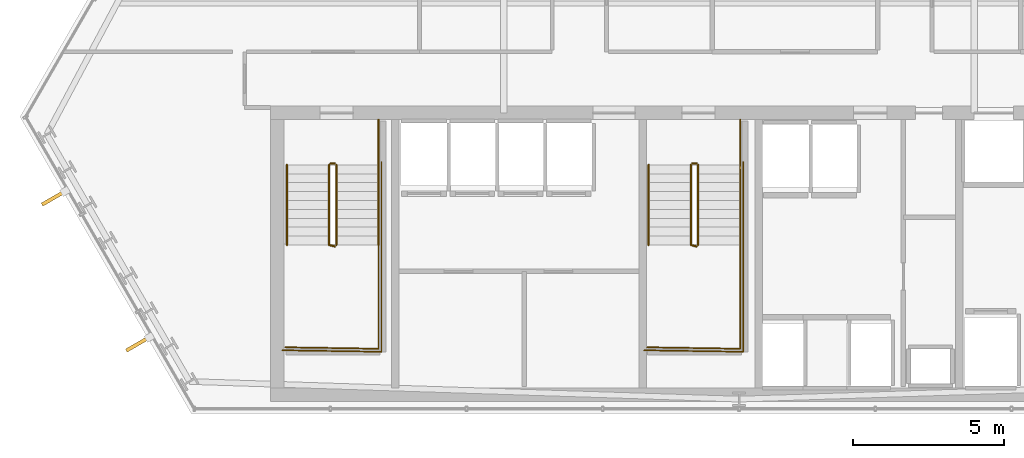
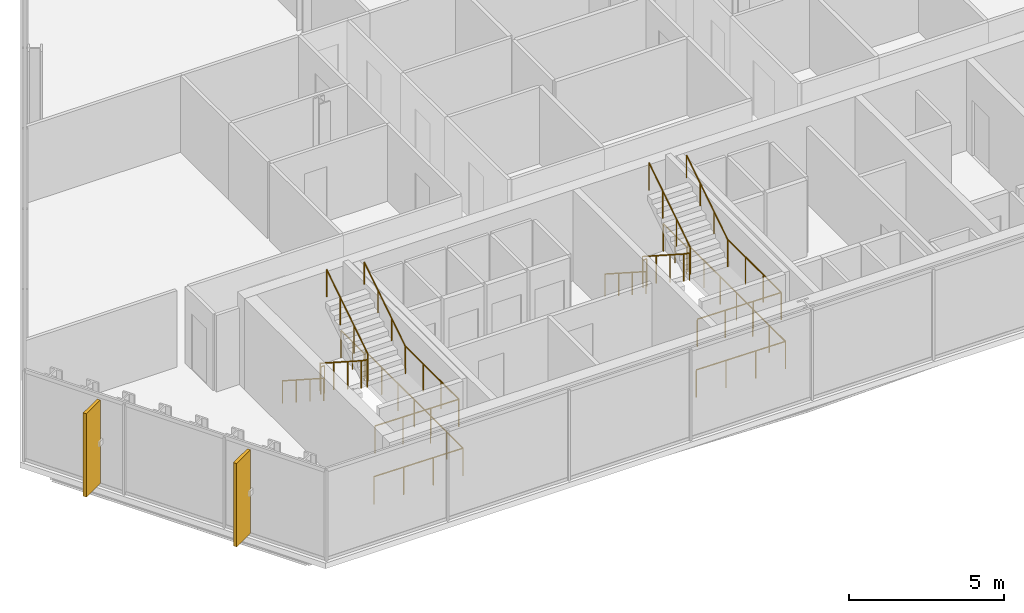
# One storey, part 30 of 33: 16 railings, 2 shading devices.
"""IFC4 building model written with IfcOpenShell, lengths in metres."""

from ifc_helpers import new_model, si_unit, direction, frame, origin, origin_2d, place, context, subcontext, project, spatial, rectangle, circle, extrude, material, layer, layer_set, type_object, element, save


model = new_model("IFC4")

# Units and contexts
model_context = context("Model", 3, precision=1e-05, world=origin(), true_north=direction((0.0, 1.0)))
body_context = subcontext(model_context, "Body", "Model", "MODEL_VIEW")
ifc_project = project(units=[si_unit("LENGTHUNIT", "METRE"), si_unit("AREAUNIT", "SQUARE_METRE"), si_unit("VOLUMEUNIT", "CUBIC_METRE"), si_unit("PLANEANGLEUNIT", "RADIAN"), si_unit("MASSUNIT", "GRAM", prefix="KILO")], contexts=[model_context])

# Site, building, storey
site_placement = place(None, origin())
site = spatial("IfcSite", under=ifc_project, at=site_placement, CompositionType="ELEMENT")
building_placement = place(site_placement, origin())
building = spatial("IfcBuilding", under=site, at=building_placement, Name="Ndaravel Arena Tower", CompositionType="ELEMENT")
storey_placement = place(building_placement, frame((0.0, 0.0, 153.60009765625)))
storey = spatial("IfcBuildingStorey", under=building, at=storey_placement, Name="L36", CompositionType="ELEMENT", Elevation=153.60009765625)

# Railings
ifc_material_1 = material(Name="Steel S355", Category="steel")
ifc_layer_1 = layer(ifc_material_1, 0.06005859375)
ifc_layer_set_1 = layer_set([ifc_layer_1], Name="Steel S355")
railing_type_1 = type_object("IfcRailingType", Name="RAIL-STAIR-GD1100", PredefinedType="GUARDRAIL", material=ifc_layer_set_1)
railing_1_placement = place(storey_placement, frame((28.39990234375, 13.25, 0.18994140625)))
element("IfcRailing", 1, at=railing_1_placement, inside=storey, type_object=railing_type_1, Name="L36 ST-1 stair guard 1", PredefinedType="GUARDRAIL", context=body_context, shape_type="SweptSolid", body=[
    extrude(circle(Radius=0.02392578125, at=origin_2d()), frame((0.0, 0.0, 1.076171875), z_axis=(0.0, -0.840723540582, 0.54146461409), x_axis=(1.0, 0.0, 0.0)), (0.0, 0.0, 1.0), 3.157958984375),
    extrude(circle(Radius=0.02392578125, at=origin_2d()), frame((0.0, -2.655029296875, 2.7861328125), z_axis=(0.967074537263, -0.25449329928, 0.0), x_axis=(0.25449329928, 0.967074537263, 0.0)), (0.0, 0.0, 1.0), 0.19677734375),
    extrude(circle(Radius=0.02099609375, at=origin_2d()), origin(), (0.0, 0.0, 1.0), 1.052001953125),
    extrude(circle(Radius=0.02099609375, at=origin_2d()), frame((0.0, -0.885009765625, 0.570068359375)), (0.0, 0.0, 1.0), 1.052001953125),
    extrude(circle(Radius=0.02099609375, at=origin_2d()), frame((0.0, -1.77001953125, 1.139892578125)), (0.0, 0.0, 1.0), 1.052001953125),
    extrude(circle(Radius=0.02099609375, at=origin_2d()), frame((0.0, -2.655029296875, 1.7099609375)), (0.0, 0.0, 1.0), 1.052001953125),
    extrude(circle(Radius=0.02099609375, at=origin_2d()), frame((0.190185546875, -2.705078125, 1.7099609375)), (0.0, 0.0, 1.0), 1.052001953125),
])
railing_2_placement = place(storey_placement, frame((30.0400390625, 10.594970703125, 1.89990234375)))
element("IfcRailing", 2, at=railing_2_placement, inside=storey, type_object=railing_type_1, Name="L36 ST-1 stair guard 2", PredefinedType="GUARDRAIL", context=body_context, shape_type="SweptSolid", body=[
    extrude(circle(Radius=0.02392578125, at=origin_2d()), frame((0.0, 0.0, 1.076171875), z_axis=(0.0, -1.0, 0.0), x_axis=(1.0, 0.0, 0.0)), (0.0, 0.0, 1.0), 3.445068359375),
    extrude(circle(Radius=0.02392578125, at=origin_2d()), frame((0.0, -3.445068359375, 1.076171875), z_axis=(-0.999868861343, 0.016194447071, 0.0), x_axis=(-0.016194447071, -0.999868861343, 0.0)), (0.0, 0.0, 1.0), 3.090576171875),
    extrude(circle(Radius=0.02099609375, at=origin_2d()), origin(), (0.0, 0.0, 1.0), 1.052001953125),
    extrude(circle(Radius=0.02099609375, at=origin_2d()), frame((0.0, -1.1484375, 0.0)), (0.0, 0.0, 1.0), 1.052001953125),
    extrude(circle(Radius=0.02099609375, at=origin_2d()), frame((0.0, -2.296630859375, 0.0)), (0.0, 0.0, 1.0), 1.052001953125),
    extrude(circle(Radius=0.02099609375, at=origin_2d()), frame((0.0, -3.445068359375, 0.0)), (0.0, 0.0, 1.0), 1.052001953125),
    extrude(circle(Radius=0.02099609375, at=origin_2d()), frame((-1.030029296875, -3.428466796875, 0.0)), (0.0, 0.0, 1.0), 1.052001953125),
    extrude(circle(Radius=0.02099609375, at=origin_2d()), frame((-2.06005859375, -3.41162109375, 0.0)), (0.0, 0.0, 1.0), 1.052001953125),
    extrude(circle(Radius=0.02099609375, at=origin_2d()), frame((-3.090087890625, -3.39501953125, 0.0)), (0.0, 0.0, 1.0), 1.052001953125),
])
railing_3_placement = place(storey_placement, frame((28.639892578125, 10.594970703125, 2.08984375)))
element("IfcRailing", 3, at=railing_3_placement, inside=storey, type_object=railing_type_1, Name="L36 ST-1 stair guard 3", PredefinedType="GUARDRAIL", context=body_context, shape_type="SweptSolid", body=[
    extrude(circle(Radius=0.02392578125, at=origin_2d()), frame((0.0, 0.0, 1.076171875), z_axis=(0.0, 0.840723540582, 0.54146461409), x_axis=(-1.0, 0.0, 0.0)), (0.0, 0.0, 1.0), 3.157958984375),
    extrude(circle(Radius=0.02099609375, at=origin_2d()), origin(), (0.0, 0.0, 1.0), 1.052001953125),
    extrude(circle(Radius=0.02099609375, at=origin_2d()), frame((0.0, 0.885009765625, 0.570068359375)), (0.0, 0.0, 1.0), 1.052001953125),
    extrude(circle(Radius=0.02099609375, at=origin_2d()), frame((0.0, 1.77001953125, 1.139892578125)), (0.0, 0.0, 1.0), 1.052001953125),
    extrude(circle(Radius=0.02099609375, at=origin_2d()), frame((0.0, 2.655029296875, 1.7099609375)), (0.0, 0.0, 1.0), 1.052001953125),
])
railing_4_placement = place(storey_placement, frame((28.449951171875, 13.300048828125, 0.0)))
element("IfcRailing", 4, at=railing_4_placement, inside=storey, type_object=railing_type_1, Name="L36 ST-1 stair guard 4", PredefinedType="GUARDRAIL", context=body_context, shape_type="SweptSolid", body=[
    extrude(circle(Radius=0.02392578125, at=origin_2d()), frame((0.0, 0.0, 1.076171875), z_axis=(1.0, 0.0, 0.0), x_axis=(0.0, 1.0, 0.0)), (0.0, 0.0, 1.0), 0.14013671875),
    extrude(circle(Radius=0.02099609375, at=origin_2d()), origin(), (0.0, 0.0, 1.0), 1.052001953125),
    extrude(circle(Radius=0.02099609375, at=origin_2d()), frame((0.14013671875, 0.0, 0.0)), (0.0, 0.0, 1.0), 1.052001953125),
])
railing_5_placement = place(storey_placement, frame((30.0400390625, 14.75, 0.0)))
element("IfcRailing", 5, at=railing_5_placement, inside=storey, type_object=railing_type_1, Name="L36 ST-1 stair guard 5", PredefinedType="GUARDRAIL", context=body_context, shape_type="SweptSolid", body=[
    extrude(circle(Radius=0.02392578125, at=origin_2d()), frame((0.0, 0.0, 1.076171875), z_axis=(0.0, -1.0, 0.0), x_axis=(1.0, 0.0, 0.0)), (0.0, 0.0, 1.0), 1.5),
    extrude(circle(Radius=0.02099609375, at=origin_2d()), origin(), (0.0, 0.0, 1.0), 1.052001953125),
    extrude(circle(Radius=0.02099609375, at=origin_2d()), frame((0.0, -0.75, 0.0)), (0.0, 0.0, 1.0), 1.052001953125),
    extrude(circle(Radius=0.02099609375, at=origin_2d()), frame((0.0, -1.5, 0.0)), (0.0, 0.0, 1.0), 1.052001953125),
])
railing_6_placement = place(storey_placement, frame((30.139892578125, 13.35009765625, 0.0)))
element("IfcRailing", 6, at=railing_6_placement, inside=storey, type_object=railing_type_1, Name="L36 ST-1 stair guard 6", PredefinedType="GUARDRAIL", context=body_context, shape_type="SweptSolid", body=[
    extrude(circle(Radius=0.02392578125, at=origin_2d()), frame((0.0, 0.0, 1.076171875), z_axis=(0.0, -1.0, 0.0), x_axis=(1.0, 0.0, 0.0)), (0.0, 0.0, 1.0), 6.300048828125),
    extrude(circle(Radius=0.02392578125, at=origin_2d()), frame((0.0, -6.300048828125, 1.076171875), z_axis=(-0.999884296952, 0.015211597839, 0.0), x_axis=(-0.015211597839, -0.999884296952, 0.0)), (0.0, 0.0, 1.0), 3.290283203125),
    extrude(circle(Radius=0.02099609375, at=origin_2d()), origin(), (0.0, 0.0, 1.0), 1.052001953125),
    extrude(circle(Radius=0.02099609375, at=origin_2d()), frame((0.0, -1.050048828125, 0.0)), (0.0, 0.0, 1.0), 1.052001953125),
    extrude(circle(Radius=0.02099609375, at=origin_2d()), frame((0.0, -2.10009765625, 0.0)), (0.0, 0.0, 1.0), 1.052001953125),
    extrude(circle(Radius=0.02099609375, at=origin_2d()), frame((0.0, -3.14990234375, 0.0)), (0.0, 0.0, 1.0), 1.052001953125),
    extrude(circle(Radius=0.02099609375, at=origin_2d()), frame((0.0, -4.199951171875, 0.0)), (0.0, 0.0, 1.0), 1.052001953125),
    extrude(circle(Radius=0.02099609375, at=origin_2d()), frame((0.0, -5.25, 0.0)), (0.0, 0.0, 1.0), 1.052001953125),
    extrude(circle(Radius=0.02099609375, at=origin_2d()), frame((0.0, -6.300048828125, 0.0)), (0.0, 0.0, 1.0), 1.052001953125),
    extrude(circle(Radius=0.02099609375, at=origin_2d()), frame((-1.0966796875, -6.283447265625, 0.0)), (0.0, 0.0, 1.0), 1.052001953125),
    extrude(circle(Radius=0.02099609375, at=origin_2d()), frame((-2.193115234375, -6.2666015625, 0.0)), (0.0, 0.0, 1.0), 1.052001953125),
    extrude(circle(Radius=0.02099609375, at=origin_2d()), frame((-3.289794921875, -6.25, 0.0)), (0.0, 0.0, 1.0), 1.052001953125),
])
railing_7_placement = place(storey_placement, frame((40.39990234375, 13.25, 0.18994140625)))
element("IfcRailing", 7, at=railing_7_placement, inside=storey, type_object=railing_type_1, Name="L36 ST-2 stair guard 1", PredefinedType="GUARDRAIL", context=body_context, shape_type="SweptSolid", body=[
    extrude(circle(Radius=0.02392578125, at=origin_2d()), frame((0.0, 0.0, 1.076171875), z_axis=(0.0, -0.840723540582, 0.54146461409), x_axis=(1.0, 0.0, 0.0)), (0.0, 0.0, 1.0), 3.157958984375),
    extrude(circle(Radius=0.02392578125, at=origin_2d()), frame((0.0, -2.655029296875, 2.7861328125), z_axis=(0.967074537263, -0.25449329928, 0.0), x_axis=(0.25449329928, 0.967074537263, 0.0)), (0.0, 0.0, 1.0), 0.19677734375),
    extrude(circle(Radius=0.02099609375, at=origin_2d()), origin(), (0.0, 0.0, 1.0), 1.052001953125),
    extrude(circle(Radius=0.02099609375, at=origin_2d()), frame((0.0, -0.885009765625, 0.570068359375)), (0.0, 0.0, 1.0), 1.052001953125),
    extrude(circle(Radius=0.02099609375, at=origin_2d()), frame((0.0, -1.77001953125, 1.139892578125)), (0.0, 0.0, 1.0), 1.052001953125),
    extrude(circle(Radius=0.02099609375, at=origin_2d()), frame((0.0, -2.655029296875, 1.7099609375)), (0.0, 0.0, 1.0), 1.052001953125),
    extrude(circle(Radius=0.02099609375, at=origin_2d()), frame((0.190185546875, -2.705078125, 1.7099609375)), (0.0, 0.0, 1.0), 1.052001953125),
])
railing_8_placement = place(storey_placement, frame((42.0400390625, 10.594970703125, 1.89990234375)))
element("IfcRailing", 8, at=railing_8_placement, inside=storey, type_object=railing_type_1, Name="L36 ST-2 stair guard 2", PredefinedType="GUARDRAIL", context=body_context, shape_type="SweptSolid", body=[
    extrude(circle(Radius=0.02392578125, at=origin_2d()), frame((0.0, 0.0, 1.076171875), z_axis=(0.0, -1.0, 0.0), x_axis=(1.0, 0.0, 0.0)), (0.0, 0.0, 1.0), 3.445068359375),
    extrude(circle(Radius=0.02392578125, at=origin_2d()), frame((0.0, -3.445068359375, 1.076171875), z_axis=(-0.999868861343, 0.016194447071, 0.0), x_axis=(-0.016194447071, -0.999868861343, 0.0)), (0.0, 0.0, 1.0), 3.090576171875),
    extrude(circle(Radius=0.02099609375, at=origin_2d()), origin(), (0.0, 0.0, 1.0), 1.052001953125),
    extrude(circle(Radius=0.02099609375, at=origin_2d()), frame((0.0, -1.1484375, 0.0)), (0.0, 0.0, 1.0), 1.052001953125),
    extrude(circle(Radius=0.02099609375, at=origin_2d()), frame((0.0, -2.296630859375, 0.0)), (0.0, 0.0, 1.0), 1.052001953125),
    extrude(circle(Radius=0.02099609375, at=origin_2d()), frame((0.0, -3.445068359375, 0.0)), (0.0, 0.0, 1.0), 1.052001953125),
    extrude(circle(Radius=0.02099609375, at=origin_2d()), frame((-1.030029296875, -3.428466796875, 0.0)), (0.0, 0.0, 1.0), 1.052001953125),
    extrude(circle(Radius=0.02099609375, at=origin_2d()), frame((-2.06005859375, -3.41162109375, 0.0)), (0.0, 0.0, 1.0), 1.052001953125),
    extrude(circle(Radius=0.02099609375, at=origin_2d()), frame((-3.090087890625, -3.39501953125, 0.0)), (0.0, 0.0, 1.0), 1.052001953125),
])
railing_9_placement = place(storey_placement, frame((40.639892578125, 10.594970703125, 2.08984375)))
element("IfcRailing", 9, at=railing_9_placement, inside=storey, type_object=railing_type_1, Name="L36 ST-2 stair guard 3", PredefinedType="GUARDRAIL", context=body_context, shape_type="SweptSolid", body=[
    extrude(circle(Radius=0.02392578125, at=origin_2d()), frame((0.0, 0.0, 1.076171875), z_axis=(0.0, 0.840723540582, 0.54146461409), x_axis=(-1.0, 0.0, 0.0)), (0.0, 0.0, 1.0), 3.157958984375),
    extrude(circle(Radius=0.02099609375, at=origin_2d()), origin(), (0.0, 0.0, 1.0), 1.052001953125),
    extrude(circle(Radius=0.02099609375, at=origin_2d()), frame((0.0, 0.885009765625, 0.570068359375)), (0.0, 0.0, 1.0), 1.052001953125),
    extrude(circle(Radius=0.02099609375, at=origin_2d()), frame((0.0, 1.77001953125, 1.139892578125)), (0.0, 0.0, 1.0), 1.052001953125),
    extrude(circle(Radius=0.02099609375, at=origin_2d()), frame((0.0, 2.655029296875, 1.7099609375)), (0.0, 0.0, 1.0), 1.052001953125),
])
railing_10_placement = place(storey_placement, frame((40.449951171875, 13.300048828125, 0.0)))
element("IfcRailing", 10, at=railing_10_placement, inside=storey, type_object=railing_type_1, Name="L36 ST-2 stair guard 4", PredefinedType="GUARDRAIL", context=body_context, shape_type="SweptSolid", body=[
    extrude(circle(Radius=0.02392578125, at=origin_2d()), frame((0.0, 0.0, 1.076171875), z_axis=(1.0, 0.0, 0.0), x_axis=(0.0, 1.0, 0.0)), (0.0, 0.0, 1.0), 0.14013671875),
    extrude(circle(Radius=0.02099609375, at=origin_2d()), origin(), (0.0, 0.0, 1.0), 1.052001953125),
    extrude(circle(Radius=0.02099609375, at=origin_2d()), frame((0.14013671875, 0.0, 0.0)), (0.0, 0.0, 1.0), 1.052001953125),
])
railing_11_placement = place(storey_placement, frame((42.0400390625, 14.75, 0.0)))
element("IfcRailing", 11, at=railing_11_placement, inside=storey, type_object=railing_type_1, Name="L36 ST-2 stair guard 5", PredefinedType="GUARDRAIL", context=body_context, shape_type="SweptSolid", body=[
    extrude(circle(Radius=0.02392578125, at=origin_2d()), frame((0.0, 0.0, 1.076171875), z_axis=(0.0, -1.0, 0.0), x_axis=(1.0, 0.0, 0.0)), (0.0, 0.0, 1.0), 1.5),
    extrude(circle(Radius=0.02099609375, at=origin_2d()), origin(), (0.0, 0.0, 1.0), 1.052001953125),
    extrude(circle(Radius=0.02099609375, at=origin_2d()), frame((0.0, -0.75, 0.0)), (0.0, 0.0, 1.0), 1.052001953125),
    extrude(circle(Radius=0.02099609375, at=origin_2d()), frame((0.0, -1.5, 0.0)), (0.0, 0.0, 1.0), 1.052001953125),
])
railing_12_placement = place(storey_placement, frame((42.139892578125, 13.35009765625, 0.0)))
element("IfcRailing", 12, at=railing_12_placement, inside=storey, type_object=railing_type_1, Name="L36 ST-2 stair guard 6", PredefinedType="GUARDRAIL", context=body_context, shape_type="SweptSolid", body=[
    extrude(circle(Radius=0.02392578125, at=origin_2d()), frame((0.0, 0.0, 1.076171875), z_axis=(0.0, -1.0, 0.0), x_axis=(1.0, 0.0, 0.0)), (0.0, 0.0, 1.0), 6.300048828125),
    extrude(circle(Radius=0.02392578125, at=origin_2d()), frame((0.0, -6.300048828125, 1.076171875), z_axis=(-0.999884296952, 0.015211597839, 0.0), x_axis=(-0.015211597839, -0.999884296952, 0.0)), (0.0, 0.0, 1.0), 3.290283203125),
    extrude(circle(Radius=0.02099609375, at=origin_2d()), origin(), (0.0, 0.0, 1.0), 1.052001953125),
    extrude(circle(Radius=0.02099609375, at=origin_2d()), frame((0.0, -1.050048828125, 0.0)), (0.0, 0.0, 1.0), 1.052001953125),
    extrude(circle(Radius=0.02099609375, at=origin_2d()), frame((0.0, -2.10009765625, 0.0)), (0.0, 0.0, 1.0), 1.052001953125),
    extrude(circle(Radius=0.02099609375, at=origin_2d()), frame((0.0, -3.14990234375, 0.0)), (0.0, 0.0, 1.0), 1.052001953125),
    extrude(circle(Radius=0.02099609375, at=origin_2d()), frame((0.0, -4.199951171875, 0.0)), (0.0, 0.0, 1.0), 1.052001953125),
    extrude(circle(Radius=0.02099609375, at=origin_2d()), frame((0.0, -5.25, 0.0)), (0.0, 0.0, 1.0), 1.052001953125),
    extrude(circle(Radius=0.02099609375, at=origin_2d()), frame((0.0, -6.300048828125, 0.0)), (0.0, 0.0, 1.0), 1.052001953125),
    extrude(circle(Radius=0.02099609375, at=origin_2d()), frame((-1.0966796875, -6.283447265625, 0.0)), (0.0, 0.0, 1.0), 1.052001953125),
    extrude(circle(Radius=0.02099609375, at=origin_2d()), frame((-2.193115234375, -6.2666015625, 0.0)), (0.0, 0.0, 1.0), 1.052001953125),
    extrude(circle(Radius=0.02099609375, at=origin_2d()), frame((-3.289794921875, -6.25, 0.0)), (0.0, 0.0, 1.0), 1.052001953125),
])
ifc_material_2 = material(Name="Steel S355", Category="steel")
ifc_layer_2 = layer(ifc_material_2, 0.050048828125)
ifc_layer_set_2 = layer_set([ifc_layer_2], Name="Steel S355")
railing_type_2 = type_object("IfcRailingType", Name="RAIL-STAIR-HR920", PredefinedType="HANDRAIL", material=ifc_layer_set_2)
railing_13_placement = place(storey_placement, frame((27.0, 13.25, 0.18994140625)))
element("IfcRailing", 13, at=railing_13_placement, inside=storey, type_object=railing_type_2, Name="L36 ST-1 stair handrail 1", PredefinedType="HANDRAIL", context=body_context, shape_type="SweptSolid", body=[
    extrude(circle(Radius=0.02392578125, at=origin_2d()), frame((0.0, 0.0, 0.8759765625), z_axis=(0.0, -0.840723540582, 0.54146461409), x_axis=(1.0, 0.0, 0.0)), (0.0, 0.0, 1.0), 3.157958984375),
    extrude(circle(Radius=0.02099609375, at=origin_2d()), origin(), (0.0, 0.0, 1.0), 0.851806640625),
    extrude(circle(Radius=0.02099609375, at=origin_2d()), frame((0.0, -0.885009765625, 0.570068359375)), (0.0, 0.0, 1.0), 0.851806640625),
    extrude(circle(Radius=0.02099609375, at=origin_2d()), frame((0.0, -1.77001953125, 1.139892578125)), (0.0, 0.0, 1.0), 0.851806640625),
    extrude(circle(Radius=0.02099609375, at=origin_2d()), frame((0.0, -2.655029296875, 1.7099609375)), (0.0, 0.0, 1.0), 0.851806640625),
])
railing_14_placement = place(storey_placement, frame((30.0400390625, 10.594970703125, 2.08984375)))
element("IfcRailing", 14, at=railing_14_placement, inside=storey, type_object=railing_type_2, Name="L36 ST-1 stair handrail 2", PredefinedType="HANDRAIL", context=body_context, shape_type="SweptSolid", body=[
    extrude(circle(Radius=0.02392578125, at=origin_2d()), frame((0.0, 0.0, 0.8759765625), z_axis=(0.0, 0.840723540582, 0.54146461409), x_axis=(-1.0, 0.0, 0.0)), (0.0, 0.0, 1.0), 3.157958984375),
    extrude(circle(Radius=0.02099609375, at=origin_2d()), origin(), (0.0, 0.0, 1.0), 0.851806640625),
    extrude(circle(Radius=0.02099609375, at=origin_2d()), frame((0.0, 0.885009765625, 0.570068359375)), (0.0, 0.0, 1.0), 0.851806640625),
    extrude(circle(Radius=0.02099609375, at=origin_2d()), frame((0.0, 1.77001953125, 1.139892578125)), (0.0, 0.0, 1.0), 0.851806640625),
    extrude(circle(Radius=0.02099609375, at=origin_2d()), frame((0.0, 2.655029296875, 1.7099609375)), (0.0, 0.0, 1.0), 0.851806640625),
])
railing_15_placement = place(storey_placement, frame((39.0, 13.25, 0.18994140625)))
element("IfcRailing", 15, at=railing_15_placement, inside=storey, type_object=railing_type_2, Name="L36 ST-2 stair handrail 1", PredefinedType="HANDRAIL", context=body_context, shape_type="SweptSolid", body=[
    extrude(circle(Radius=0.02392578125, at=origin_2d()), frame((0.0, 0.0, 0.8759765625), z_axis=(0.0, -0.840723540582, 0.54146461409), x_axis=(1.0, 0.0, 0.0)), (0.0, 0.0, 1.0), 3.157958984375),
    extrude(circle(Radius=0.02099609375, at=origin_2d()), origin(), (0.0, 0.0, 1.0), 0.851806640625),
    extrude(circle(Radius=0.02099609375, at=origin_2d()), frame((0.0, -0.885009765625, 0.570068359375)), (0.0, 0.0, 1.0), 0.851806640625),
    extrude(circle(Radius=0.02099609375, at=origin_2d()), frame((0.0, -1.77001953125, 1.139892578125)), (0.0, 0.0, 1.0), 0.851806640625),
    extrude(circle(Radius=0.02099609375, at=origin_2d()), frame((0.0, -2.655029296875, 1.7099609375)), (0.0, 0.0, 1.0), 0.851806640625),
])
railing_16_placement = place(storey_placement, frame((42.0400390625, 10.594970703125, 2.08984375)))
element("IfcRailing", 16, at=railing_16_placement, inside=storey, type_object=railing_type_2, Name="L36 ST-2 stair handrail 2", PredefinedType="HANDRAIL", context=body_context, shape_type="SweptSolid", body=[
    extrude(circle(Radius=0.02392578125, at=origin_2d()), frame((0.0, 0.0, 0.8759765625), z_axis=(0.0, 0.840723540582, 0.54146461409), x_axis=(-1.0, 0.0, 0.0)), (0.0, 0.0, 1.0), 3.157958984375),
    extrude(circle(Radius=0.02099609375, at=origin_2d()), origin(), (0.0, 0.0, 1.0), 0.851806640625),
    extrude(circle(Radius=0.02099609375, at=origin_2d()), frame((0.0, 0.885009765625, 0.570068359375)), (0.0, 0.0, 1.0), 0.851806640625),
    extrude(circle(Radius=0.02099609375, at=origin_2d()), frame((0.0, 1.77001953125, 1.139892578125)), (0.0, 0.0, 1.0), 0.851806640625),
    extrude(circle(Radius=0.02099609375, at=origin_2d()), frame((0.0, 2.655029296875, 1.7099609375)), (0.0, 0.0, 1.0), 0.851806640625),
])

# Shading devices
ifc_material_3 = material(Name="Masonry", Category="masonry")
shading_device_type = type_object("IfcShadingDeviceType", Name="SHD-MAZERAS-FIN", PredefinedType="SHUTTER", material=ifc_material_3)
for number, where, z_axis, x_axis, name in (
    (17, (19.267822265625, 12.156982421875, 0.14990234375), (0.0, 0.0, 1.0), (-0.866025403784, -0.5, 0.0), "L36 Mazeras Stone Solar Fin E6.1"),
    (18, (22.063720703125, 7.314208984375, 0.14990234375), (0.0, 0.0, 1.0), (-0.866025403784, -0.5, 0.0), "L36 Mazeras Stone Solar Fin E6.2"),
):
    element("IfcShadingDevice", number, at=place(storey_placement, frame(where, z_axis=z_axis, x_axis=x_axis)), inside=storey, type_object=shading_device_type, Name=name, PredefinedType="SHUTTER", context=body_context, shape_type="SweptSolid", body=[
        extrude(rectangle(XDim=0.89990234375, YDim=0.1201171875, at=origin_2d()), origin(), (0.0, 0.0, 1.0), 3.280029296875),
    ])

save(model, "model.ifc")
